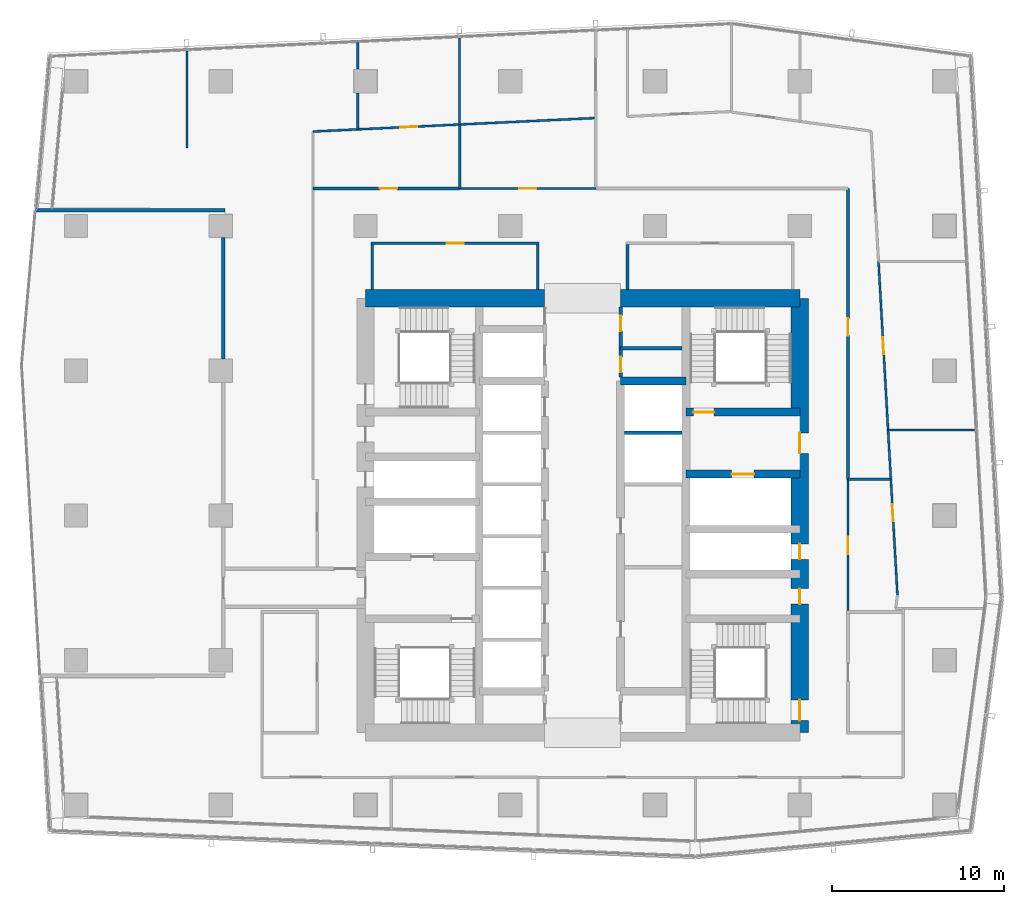
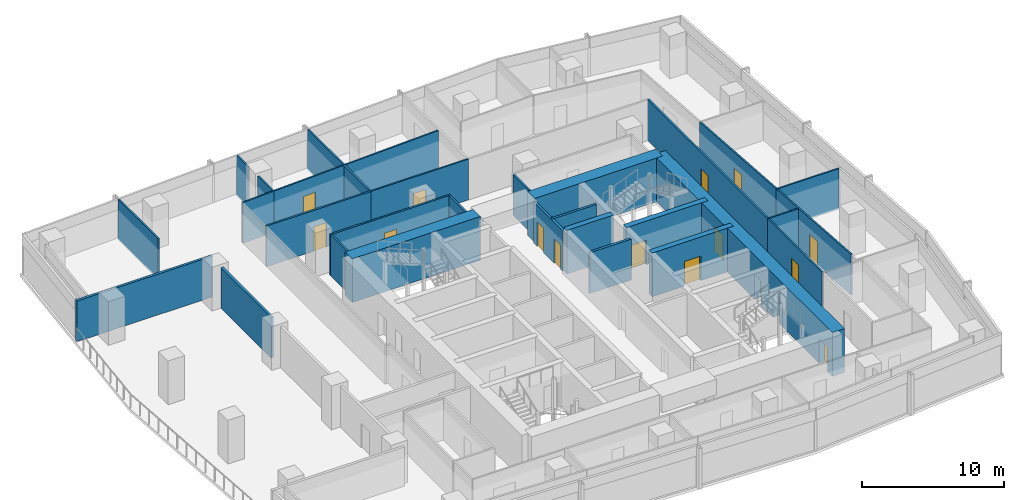
# One storey, part 26 of 35: 31 walls, 16 doors, 16 openings.
"""IFC4 building model written with IfcOpenShell, lengths in metres."""

import ifcopenshell
import ifcopenshell.guid

model = None  # the IFC model being written
_history = None  # IfcOwnerHistory: only IFC2X3 demands one
_inside = {}  # id of a spatial element -> (the spatial element, [elements in it])
_under = {}  # id of a project, library or spatial element -> (it, [spatial elements below it])
_declared = {}  # id of a project -> (the project, [libraries it declares])
_typed = {}  # id of a type object -> (the type object, [elements of that type])
_made_of = {}  # id of a material, layer set ... -> (it, [elements and type objects made of it])


def new_model(schema):
    """Start an empty IFC model of exactly this schema.

    Asked for "IFC4X3", IfcOpenShell would pick the latest addendum, in which some entities
    have other attributes; the version numbers below select the first issue.
    IFC2X3 requires an IfcOwnerHistory on every rooted entity: one is made here for all.
    """
    global model, _history
    if schema == "IFC4X3":
        model = ifcopenshell.file(schema_version=(4, 3, 0, 0))
    else:
        model = ifcopenshell.file(schema=schema)
    _inside.clear()
    _under.clear()
    _declared.clear()
    _typed.clear()
    _made_of.clear()
    _history = None
    if model.schema == "IFC2X3":
        org = make("IfcOrganization", Name="unknown")
        user = make(
            "IfcPersonAndOrganization",
            ThePerson=make("IfcPerson", FamilyName="unknown"),
            TheOrganization=org,
        )
        app = make(
            "IfcApplication",
            ApplicationDeveloper=org,
            Version="unknown",
            ApplicationFullName="unknown",
            ApplicationIdentifier="unknown",
        )
        _history = make(
            "IfcOwnerHistory",
            OwningUser=user,
            OwningApplication=app,
            ChangeAction="ADDED",
            CreationDate=0,
        )
    return model


def make(cls, **values):
    """One entity of the class cls with the attributes given. An attribute that is None is left unset."""
    return model.create_entity(
        cls, **{name: value for name, value in values.items() if value is not None}
    )


def rooted(cls, **values):
    """An entity with a GlobalId (a new one), such as an element, a storey or a relation."""
    return make(cls, GlobalId=ifcopenshell.guid.new(), OwnerHistory=_history, **values)


def si_unit(unit_type, name, prefix=None):
    """IfcSIUnit, for example si_unit("LENGTHUNIT", "METRE", prefix="MILLI")."""
    return make("IfcSIUnit", UnitType=unit_type, Prefix=prefix, Name=name)


def assignment(units):
    """IfcUnitAssignment: the units of a project."""
    return None if units is None else make("IfcUnitAssignment", Units=units)


def point(xyz):
    """IfcCartesianPoint."""
    return None if xyz is None else make("IfcCartesianPoint", Coordinates=xyz)


def direction(xyz):
    """IfcDirection."""
    return None if xyz is None else make("IfcDirection", DirectionRatios=xyz)


def frame(location, z_axis=None, x_axis=None):
    """IfcAxis2Placement3D, a coordinate frame: its origin and axes. An axis left out is left unset."""
    return make(
        "IfcAxis2Placement3D",
        Location=point(location),
        Axis=direction(z_axis),
        RefDirection=direction(x_axis),
    )


def frame_2d(location, x_axis=None):
    """IfcAxis2Placement2D, a coordinate frame in the plane: its origin and x axis."""
    return make(
        "IfcAxis2Placement2D", Location=point(location), RefDirection=direction(x_axis)
    )


def origin():
    """The frame at (0, 0, 0) with its axes left unset."""
    return frame((0.0, 0.0, 0.0))


def place(relative_to, where):
    """IfcLocalPlacement: puts the frame where relative to a parent placement (None: the world)."""
    return make(
        "IfcLocalPlacement", PlacementRelTo=relative_to, RelativePlacement=where
    )


def context(
    kind, dimensions, precision=None, world=None, true_north=None, identifier=None
):
    """IfcGeometricRepresentationContext, for example the 3D "Model" context."""
    return make(
        "IfcGeometricRepresentationContext",
        ContextIdentifier=identifier,
        ContextType=kind,
        CoordinateSpaceDimension=dimensions,
        Precision=precision,
        WorldCoordinateSystem=world,
        TrueNorth=true_north,
    )


def subcontext(parent, identifier, kind, view, scale=None):
    """IfcGeometricRepresentationSubContext, for example "Body" below "Model"."""
    return make(
        "IfcGeometricRepresentationSubContext",
        ContextIdentifier=identifier,
        ContextType=kind,
        ParentContext=parent,
        TargetScale=scale,
        TargetView=view,
    )


def project(units=None, contexts=None):
    """IfcProject with its units and contexts."""
    return rooted(
        "IfcProject",
        Name="project",
        RepresentationContexts=contexts,
        UnitsInContext=assignment(units),
    )


def spatial(cls, under=None, at=None, **own):
    """A site, building, storey or space (cls), placed at a placement, below another one or the project."""
    s = rooted(cls, ObjectPlacement=at, **own)
    if under is not None:
        _under.setdefault(under.id(), (under, []))[1].append(s)
    return s


def profile(cls, at=None, kind="AREA", **sizes):
    """A parametric profile (cls). Its sizes go by their IFC names, for example OverallWidth=200.0."""
    return make(cls, ProfileType=kind, Position=at, **sizes)


def rectangle(**sizes):
    """IfcRectangleProfileDef."""
    return profile("IfcRectangleProfileDef", **sizes)


def extrude(swept, where, along, depth):
    """IfcExtrudedAreaSolid: the profile swept, set in the frame where, extruded along a direction by depth."""
    return make(
        "IfcExtrudedAreaSolid",
        SweptArea=swept,
        Position=where,
        ExtrudedDirection=direction(along),
        Depth=depth,
    )


def shape(context_of_items, identifier, shape_type, items):
    """IfcShapeRepresentation: the items that make up one representation, for example the "Body"."""
    return make(
        "IfcShapeRepresentation",
        ContextOfItems=context_of_items,
        RepresentationIdentifier=identifier,
        RepresentationType=shape_type,
        Items=items,
    )


def material(Name=None, Category=None):
    """IfcMaterial."""
    return make("IfcMaterial", Name=Name, Category=Category)


def layer(
    of_material, thickness, ventilated=None, Name=None, Category=None, Priority=None
):
    """IfcMaterialLayer: one layer of a wall or slab, of a material (None: an air gap)."""
    return make(
        "IfcMaterialLayer",
        Material=of_material,
        LayerThickness=thickness,
        IsVentilated=ventilated,
        Name=Name,
        Category=Category,
        Priority=Priority,
    )


def layer_set(layers, Name=None):
    """IfcMaterialLayerSet."""
    return make("IfcMaterialLayerSet", MaterialLayers=layers, LayerSetName=Name)


def made_of(thing, what):
    """Note that an element or type object is made of a material, layer set ...; save() writes the relation."""
    if what is not None:
        _made_of.setdefault(what.id(), (what, []))[1].append(thing)
    return thing


def type_object(cls, material=None, **own):
    """A type object (cls), such as IfcWallType, which elements share."""
    return made_of(rooted(cls, **own), material)


def element(
    cls,
    number,
    at=None,
    inside=None,
    cuts=None,
    type_object=None,
    material=None,
    context=None,
    identifier="Body",
    shape_type=None,
    held_by="IfcProductDefinitionShape",
    body=None,
    shapes=None,
    **own,
):
    """One element of the class cls, such as IfcWall. Its Tag is "e" and its number.

    at: its placement. inside: the storey or other place that contains it. cuts: it is an
    opening in that element (IfcRelVoidsElement). A single representation is given by context,
    identifier, shape_type and body (its items); several are given by shapes. held_by: the class
    of the entity that holds the representations. save() writes the other relations.
    """
    e = rooted(cls, Tag="e%d" % number, ObjectPlacement=at, **own)
    if body is not None:
        shapes = [shape(context, identifier, shape_type, body)]
    if shapes is not None:
        e.Representation = make(held_by, Representations=shapes)
    if inside is not None:
        _inside.setdefault(inside.id(), (inside, []))[1].append(e)
    if cuts is not None:
        rooted(
            "IfcRelVoidsElement", RelatingBuildingElement=cuts, RelatedOpeningElement=e
        )
    if type_object is not None:
        _typed.setdefault(type_object.id(), (type_object, []))[1].append(e)
    return made_of(e, material)


def fill(opening, filler):
    """IfcRelFillsElement: the door or window that sits in an opening."""
    return rooted(
        "IfcRelFillsElement",
        RelatingOpeningElement=opening,
        RelatedBuildingElement=filler,
    )


def aggregate(whole, parts):
    """IfcRelAggregates: a whole, such as a stair, and the parts it consists of."""
    return rooted("IfcRelAggregates", RelatingObject=whole, RelatedObjects=parts)


def save(model, path):
    """Write the relations noted so far, then the file.

    IfcRelAggregates (storeys below a building ...), IfcRelContainedInSpatialStructure (elements
    in a storey), IfcRelDefinesByType, IfcRelAssociatesMaterial and IfcRelDeclares: one each for
    every whole, place, type object, material and project.
    """
    for whole, parts in _under.values():
        aggregate(whole, parts)
    for where, things in _inside.values():
        rooted(
            "IfcRelContainedInSpatialStructure",
            RelatedElements=things,
            RelatingStructure=where,
        )
    for kind, things in _typed.values():
        rooted("IfcRelDefinesByType", RelatedObjects=things, RelatingType=kind)
    for what, things in _made_of.values():
        rooted("IfcRelAssociatesMaterial", RelatedObjects=things, RelatingMaterial=what)
    for by, libraries in _declared.values():
        rooted("IfcRelDeclares", RelatingContext=by, RelatedDefinitions=libraries)
    model.write(path)


model = new_model("IFC4")

# Units and contexts
model_context = context("Model", 3, precision=1e-05, world=origin(), true_north=direction((0.0, 1.0)))
body_context = subcontext(model_context, "Body", "Model", "MODEL_VIEW")
ifc_project = project(units=[si_unit("LENGTHUNIT", "METRE"), si_unit("AREAUNIT", "SQUARE_METRE"), si_unit("VOLUMEUNIT", "CUBIC_METRE"), si_unit("PLANEANGLEUNIT", "RADIAN"), si_unit("MASSUNIT", "GRAM", prefix="KILO")], contexts=[model_context])

# Site, building, storey
site_placement = place(None, origin())
site = spatial("IfcSite", under=ifc_project, at=site_placement, CompositionType="ELEMENT")
building_placement = place(site_placement, origin())
building = spatial("IfcBuilding", under=site, at=building_placement, Name="Rekha Terrace Tower", CompositionType="ELEMENT")
storey_placement = place(building_placement, frame((0.0, 0.0, 191.449951171875)))
storey = spatial("IfcBuildingStorey", under=building, at=storey_placement, Name="L48", CompositionType="ELEMENT", Elevation=191.449951171875)

# Wall
ifc_material_1 = material(Name="Concrete M60", Category="concrete")
ifc_layer_1 = layer(ifc_material_1, 0.449951171875)
ifc_layer_set_1 = layer_set([ifc_layer_1], Name="Concrete M60")
wall_type_1 = type_object("IfcWallType", Name="CI3 450 core internal shear wall", PredefinedType="SHEAR", material=ifc_layer_set_1)
wall_1_placement = place(storey_placement, frame((40.0, 41.39990234375, 0.0), z_axis=(0.0, 0.0, 1.0), x_axis=(1.0, 0.0, 0.0)))
element("IfcWall", 1, at=wall_1_placement, inside=storey, type_object=wall_type_1, Name="Core wall Y414E L48", PredefinedType="SHEAR", context=body_context, shape_type="SweptSolid", body=[
    extrude(rectangle(XDim=3.800048828125, YDim=0.449951171875, at=frame_2d((1.89990234375, 0.0))), origin(), (0.0, 0.0, 1.0), 3.75),
])

# Wall, opening, door
wall_2_placement = place(storey_placement, frame((43.800048828125, 36.0, 0.0), z_axis=(0.0, 0.0, 1.0), x_axis=(1.0, 0.0, 0.0)))
wall_2 = element("IfcWall", 2, at=wall_2_placement, inside=storey, type_object=wall_type_1, Name="Core wall Y360E L48", PredefinedType="SHEAR", context=body_context, shape_type="SweptSolid", body=[
    extrude(rectangle(XDim=6.599853515625, YDim=0.449951171875, at=frame_2d((3.2998046875, 0.0))), origin(), (0.0, 0.0, 1.0), 3.75),
])
opening_1_placement = place(wall_2_placement, frame((2.64990234375, 0.0, 0.0)))
opening_1 = element("IfcOpeningElement", 3, at=opening_1_placement, cuts=wall_2, Name="Opening LD2", PredefinedType="OPENING", context=body_context, shape_type="SweptSolid", body=[
    extrude(rectangle(XDim=1.300048828125, YDim=2.10009765625, at=frame_2d((0.64990234375, 1.050048828125))), frame((0.0, 0.23486328125, 0.0), z_axis=(0.0, -1.0, 0.0), x_axis=(1.0, 0.0, 0.0)), (0.0, 0.0, 1.0), 0.469970703125),
])
ifc_material_2 = material(Name="Stainless steel sliding landing door", Category="steel")
door_type_1 = type_object("IfcDoorType", Name="LD2 1300x2100 fire lift landing door", OperationType="SLIDING_TO_LEFT", PredefinedType="USERDEFINED", material=ifc_material_2)
door_1_placement = place(opening_1_placement, origin())
door_1 = element("IfcDoor", 4, at=door_1_placement, inside=storey, type_object=door_type_1, Name="Lift FL2 landing door L48", ObjectType="LIFT LANDING DOOR", OperationType="SLIDING_TO_LEFT", OverallHeight=2.10009765625, OverallWidth=1.300048828125, PredefinedType="USERDEFINED", context=body_context, shape_type="SweptSolid", body=[
    extrude(rectangle(XDim=1.300048828125, YDim=2.10009765625, at=frame_2d((0.64990234375, 1.050048828125))), frame((0.0, 0.02490234375, 0.0), z_axis=(0.0, -1.0, 0.0), x_axis=(1.0, 0.0, 0.0)), (0.0, 0.0, 1.0), 0.050048828125),
])
fill(opening_1, door_1)

wall_3_placement = place(storey_placement, frame((43.800048828125, 39.60009765625, 0.0), z_axis=(0.0, 0.0, 1.0), x_axis=(1.0, 0.0, 0.0)))
wall_3 = element("IfcWall", 5, at=wall_3_placement, inside=storey, type_object=wall_type_1, Name="Core wall Y396E L48", PredefinedType="SHEAR", context=body_context, shape_type="SweptSolid", body=[
    extrude(rectangle(XDim=6.599853515625, YDim=0.449951171875, at=frame_2d((3.2998046875, 0.0))), origin(), (0.0, 0.0, 1.0), 3.75),
])
opening_2_placement = place(wall_3_placement, frame((0.425048828125, 0.0, 0.0)))
opening_2 = element("IfcOpeningElement", 6, at=opening_2_placement, cuts=wall_3, Name="Opening D1", PredefinedType="OPENING", context=body_context, shape_type="SweptSolid", body=[
    extrude(rectangle(XDim=1.199951171875, YDim=2.10009765625, at=frame_2d((0.60009765625, 1.050048828125))), frame((0.0, 0.23486328125, 0.0), z_axis=(0.0, -1.0, 0.0), x_axis=(1.0, 0.0, 0.0)), (0.0, 0.0, 1.0), 0.469970703125),
])
ifc_material_3 = material(Name="Steel fire door", Category="steel")
door_type_2 = type_object("IfcDoorType", Name="D1 1200x2100 stair fire door", OperationType="SINGLE_SWING_RIGHT", PredefinedType="DOOR", material=ifc_material_3)
door_2_placement = place(opening_2_placement, origin())
door_2 = element("IfcDoor", 7, at=door_2_placement, inside=storey, type_object=door_type_2, Name="Stair ST2 door L48", OperationType="SINGLE_SWING_RIGHT", OverallHeight=2.10009765625, OverallWidth=1.199951171875, PredefinedType="DOOR", context=body_context, shape_type="SweptSolid", body=[
    extrude(rectangle(XDim=1.199951171875, YDim=2.10009765625, at=frame_2d((0.60009765625, 1.050048828125))), frame((0.0, 0.02490234375, 0.0), z_axis=(0.0, -1.0, 0.0), x_axis=(1.0, 0.0, 0.0)), (0.0, 0.0, 1.0), 0.050048828125),
])
fill(opening_2, door_2)

# Walls
ifc_layer_2 = layer(ifc_material_1, 1.0)
ifc_layer_set_2 = layer_set([ifc_layer_2], Name="Concrete M60")
wall_type_2 = type_object("IfcWallType", Name="SW3 1000 core outer shear wall", PredefinedType="SHEAR", material=ifc_layer_set_2)
wall_4_placement = place(storey_placement, frame((25.199951171875, 46.199951171875, 0.0), z_axis=(0.0, 0.0, 1.0), x_axis=(1.0, 0.0, 0.0)))
element("IfcWall", 8, at=wall_4_placement, inside=storey, type_object=wall_type_2, Name="Core wall N1 L48", PredefinedType="SHEAR", context=body_context, shape_type="SweptSolid", body=[
    extrude(rectangle(XDim=10.400146484375, YDim=1.0, at=frame_2d((5.2001953125, 0.0))), origin(), (0.0, 0.0, 1.0), 3.75),
])
wall_5_placement = place(storey_placement, frame((40.0, 46.199951171875, 0.0), z_axis=(0.0, 0.0, 1.0), x_axis=(1.0, 0.0, 0.0)))
element("IfcWall", 9, at=wall_5_placement, inside=storey, type_object=wall_type_2, Name="Core wall N2 L48", PredefinedType="SHEAR", context=body_context, shape_type="SweptSolid", body=[
    extrude(rectangle(XDim=10.39990234375, YDim=1.0, at=frame_2d((5.199951171875, 0.0))), origin(), (0.0, 0.0, 1.0), 3.75),
])

# Wall, openings, doors
wall_6_placement = place(storey_placement, frame((50.39990234375, 21.0, 0.0), z_axis=(0.0, 0.0, 1.0), x_axis=(0.0, 1.0, 0.0)))
wall_6 = element("IfcWall", 10, at=wall_6_placement, inside=storey, type_object=wall_type_2, Name="Core wall E L48", PredefinedType="SHEAR", context=body_context, shape_type="SweptSolid", body=[
    extrude(rectangle(XDim=25.199951171875, YDim=1.0, at=frame_2d((12.60009765625, 0.0))), origin(), (0.0, 0.0, 1.0), 3.75),
])
opening_3_placement = place(wall_6_placement, frame((16.199951171875, 0.0, 0.0)))
opening_3 = element("IfcOpeningElement", 11, at=opening_3_placement, cuts=wall_6, Name="Opening D2", PredefinedType="OPENING", context=body_context, shape_type="SweptSolid", body=[
    extrude(rectangle(XDim=1.199951171875, YDim=2.10009765625, at=frame_2d((0.60009765625, 1.050048828125))), frame((0.0, 0.510009765625, 0.0), z_axis=(0.0, -1.0, 0.0), x_axis=(1.0, 0.0, 0.0)), (0.0, 0.0, 1.0), 1.02001953125),
])
opening_4_placement = place(wall_6_placement, frame((10.050048828125, 0.0, 0.0)))
opening_4 = element("IfcOpeningElement", 12, at=opening_4_placement, cuts=wall_6, Name="Opening D5", PredefinedType="OPENING", context=body_context, shape_type="SweptSolid", body=[
    extrude(rectangle(XDim=0.89990234375, YDim=2.10009765625, at=frame_2d((0.449951171875, 1.050048828125))), frame((0.0, 0.510009765625, 0.0), z_axis=(0.0, -1.0, 0.0), x_axis=(1.0, 0.0, 0.0)), (0.0, 0.0, 1.0), 1.02001953125),
])
opening_5_placement = place(wall_6_placement, frame((7.449951171875, 0.0, 0.0)))
opening_5 = element("IfcOpeningElement", 13, at=opening_5_placement, cuts=wall_6, Name="Opening D5", PredefinedType="OPENING", context=body_context, shape_type="SweptSolid", body=[
    extrude(rectangle(XDim=0.89990234375, YDim=2.10009765625, at=frame_2d((0.449951171875, 1.050048828125))), frame((0.0, 0.510009765625, 0.0), z_axis=(0.0, -1.0, 0.0), x_axis=(1.0, 0.0, 0.0)), (0.0, 0.0, 1.0), 1.02001953125),
])
opening_6_placement = place(wall_6_placement, frame((0.699951171875, 0.0, 0.0)))
opening_6 = element("IfcOpeningElement", 14, at=opening_6_placement, cuts=wall_6, Name="Opening D1", PredefinedType="OPENING", context=body_context, shape_type="SweptSolid", body=[
    extrude(rectangle(XDim=1.199951171875, YDim=2.10009765625, at=frame_2d((0.60009765625, 1.050048828125))), frame((0.0, 0.510009765625, 0.0), z_axis=(0.0, -1.0, 0.0), x_axis=(1.0, 0.0, 0.0)), (0.0, 0.0, 1.0), 1.02001953125),
])
door_3_placement = place(opening_6_placement, origin())
door_3 = element("IfcDoor", 15, at=door_3_placement, inside=storey, type_object=door_type_2, Name="Stair ST3 door L48", OperationType="SINGLE_SWING_RIGHT", OverallHeight=2.10009765625, OverallWidth=1.199951171875, PredefinedType="DOOR", context=body_context, shape_type="SweptSolid", body=[
    extrude(rectangle(XDim=1.199951171875, YDim=2.10009765625, at=frame_2d((0.60009765625, 1.050048828125))), frame((0.0, 0.02490234375, 0.0), z_axis=(0.0, -1.0, 0.0), x_axis=(1.0, 0.0, 0.0)), (0.0, 0.0, 1.0), 0.050048828125),
])
fill(opening_6, door_3)
door_type_3 = type_object("IfcDoorType", Name="D2 1200x2100 firefighting lobby door", OperationType="SINGLE_SWING_LEFT", PredefinedType="DOOR", material=ifc_material_3)
door_4_placement = place(opening_3_placement, origin())
door_4 = element("IfcDoor", 16, at=door_4_placement, inside=storey, type_object=door_type_3, Name="Door flb2 L48", OperationType="SINGLE_SWING_LEFT", OverallHeight=2.10009765625, OverallWidth=1.199951171875, PredefinedType="DOOR", context=body_context, shape_type="SweptSolid", body=[
    extrude(rectangle(XDim=1.199951171875, YDim=2.10009765625, at=frame_2d((0.60009765625, 1.050048828125))), frame((0.0, 0.02490234375, 0.0), z_axis=(0.0, -1.0, 0.0), x_axis=(1.0, 0.0, 0.0)), (0.0, 0.0, 1.0), 0.050048828125),
])
fill(opening_3, door_4)
door_type_4 = type_object("IfcDoorType", Name="D5 900x2100 riser access door", OperationType="SINGLE_SWING_LEFT", PredefinedType="DOOR", material=ifc_material_3)
door_5_placement = place(opening_4_placement, origin())
door_5 = element("IfcDoor", 17, at=door_5_placement, inside=storey, type_object=door_type_4, Name="Door rs2 L48", OperationType="SINGLE_SWING_LEFT", OverallHeight=2.10009765625, OverallWidth=0.89990234375, PredefinedType="DOOR", context=body_context, shape_type="SweptSolid", body=[
    extrude(rectangle(XDim=0.89990234375, YDim=2.10009765625, at=frame_2d((0.449951171875, 1.050048828125))), frame((0.0, 0.02490234375, 0.0), z_axis=(0.0, -1.0, 0.0), x_axis=(1.0, 0.0, 0.0)), (0.0, 0.0, 1.0), 0.050048828125),
])
fill(opening_4, door_5)
door_6_placement = place(opening_5_placement, origin())
door_6 = element("IfcDoor", 18, at=door_6_placement, inside=storey, type_object=door_type_4, Name="Door ele L48", OperationType="SINGLE_SWING_LEFT", OverallHeight=2.10009765625, OverallWidth=0.89990234375, PredefinedType="DOOR", context=body_context, shape_type="SweptSolid", body=[
    extrude(rectangle(XDim=0.89990234375, YDim=2.10009765625, at=frame_2d((0.449951171875, 1.050048828125))), frame((0.0, 0.02490234375, 0.0), z_axis=(0.0, -1.0, 0.0), x_axis=(1.0, 0.0, 0.0)), (0.0, 0.0, 1.0), 0.050048828125),
])
fill(opening_5, door_6)

# Wall
ifc_material_4 = material(Name="Concrete block masonry, 1 hour", Category="masonry")
ifc_layer_3 = layer(ifc_material_4, 0.14990234375)
ifc_layer_set_3 = layer_set([ifc_layer_3], Name="Concrete block masonry, 1 hour")
wall_type_3 = type_object("IfcWallType", Name="WP2 150 tenancy partition", PredefinedType="PARTITIONING", material=ifc_layer_set_3)
wall_7_placement = place(storey_placement, frame((40.39990234375, 46.699951171875, 0.0), z_axis=(0.0, 0.0, 1.0), x_axis=(0.0, 1.0, 0.0)))
element("IfcWall", 19, at=wall_7_placement, inside=storey, type_object=wall_type_3, Name="Women's WC wall L48", PredefinedType="PARTITIONING", context=body_context, shape_type="SweptSolid", body=[
    extrude(rectangle(XDim=2.625, YDim=0.14990234375, at=frame_2d((1.3125, 0.0))), origin(), (0.0, 0.0, 1.0), 3.5),
])

# Wall, opening, door
wall_8_placement = place(storey_placement, frame((25.52490234375, 49.39990234375, 0.0), z_axis=(0.0, 0.0, 1.0), x_axis=(1.0, 0.0, 0.0)))
wall_8 = element("IfcWall", 20, at=wall_8_placement, inside=storey, type_object=wall_type_3, Name="Women's WC wall L48", PredefinedType="PARTITIONING", context=body_context, shape_type="SweptSolid", body=[
    extrude(rectangle(XDim=9.75, YDim=0.14990234375, at=frame_2d((4.875, 0.0))), origin(), (0.0, 0.0, 1.0), 3.5),
])
opening_7_placement = place(wall_8_placement, frame((4.375, 0.0, 0.0)))
opening_7 = element("IfcOpeningElement", 21, at=opening_7_placement, cuts=wall_8, Name="Opening D3", PredefinedType="OPENING", context=body_context, shape_type="SweptSolid", body=[
    extrude(rectangle(XDim=1.0, YDim=2.10009765625, at=frame_2d((0.5, 1.050048828125))), frame((0.0, 0.0849609375, 0.0), z_axis=(0.0, -1.0, 0.0), x_axis=(1.0, 0.0, 0.0)), (0.0, 0.0, 1.0), 0.169921875),
])
ifc_material_5 = material(Name="Laminated timber fire door", Category="wood")
door_type_5 = type_object("IfcDoorType", Name="D3 1000x2100 WC door", OperationType="SINGLE_SWING_LEFT", PredefinedType="DOOR", material=ifc_material_5)
door_7_placement = place(opening_7_placement, origin())
door_7 = element("IfcDoor", 22, at=door_7_placement, inside=storey, type_object=door_type_5, Name="Door women's wc L48", OperationType="SINGLE_SWING_LEFT", OverallHeight=2.10009765625, OverallWidth=1.0, PredefinedType="DOOR", context=body_context, shape_type="SweptSolid", body=[
    extrude(rectangle(XDim=1.0, YDim=2.10009765625, at=frame_2d((0.5, 1.050048828125))), frame((0.0, 0.02490234375, 0.0), z_axis=(0.0, -1.0, 0.0), x_axis=(1.0, 0.0, 0.0)), (0.0, 0.0, 1.0), 0.050048828125),
])
fill(opening_7, door_7)

# Walls
for number, where, z_axis, x_axis, name in (
    (23, (25.60009765625, 46.699951171875, 0.0), (0.0, 0.0, 1.0), (0.0, 1.0, 0.0), "Women's WC wall L48"),
    (24, (35.199951171875, 46.699951171875, 0.0), (0.0, 0.0, 1.0), (0.0, 1.0, 0.0), "Women's WC wall L48"),
):
    element("IfcWall", number, at=place(storey_placement, frame(where, z_axis=z_axis, x_axis=x_axis)), inside=storey, type_object=wall_type_3, Name=name, PredefinedType="PARTITIONING", context=body_context, shape_type="SweptSolid", body=[
        extrude(rectangle(XDim=2.625, YDim=0.14990234375, at=frame_2d((1.3125, 0.0))), origin(), (0.0, 0.0, 1.0), 3.5),
    ])

# Wall, opening, door
wall_9_placement = place(storey_placement, frame((53.199951171875, 35.700927734375, 0.0), z_axis=(0.0, 0.0, 1.0), x_axis=(0.0, 1.0, 0.0)))
wall_9 = element("IfcWall", 25, at=wall_9_placement, inside=storey, type_object=wall_type_3, Name="Partition L48-O1", PredefinedType="PARTITIONING", context=body_context, shape_type="SweptSolid", body=[
    extrude(rectangle(XDim=16.8740234375, YDim=0.14990234375, at=frame_2d((8.43701171875, 0.0))), origin(), (0.0, 0.0, 1.0), 3.5),
])
opening_8_placement = place(wall_9_placement, frame((8.3369140625, 0.0, 0.0)))
opening_8 = element("IfcOpeningElement", 26, at=opening_8_placement, cuts=wall_9, Name="Opening D9", PredefinedType="OPENING", context=body_context, shape_type="SweptSolid", body=[
    extrude(rectangle(XDim=1.0, YDim=2.10009765625, at=frame_2d((0.5, 1.050048828125))), frame((0.0, 0.0849609375, 0.0), z_axis=(0.0, -1.0, 0.0), x_axis=(1.0, 0.0, 0.0)), (0.0, 0.0, 1.0), 0.169921875),
])
ifc_material_6 = material(Name="Timber fire door", Category="wood")
door_type_6 = type_object("IfcDoorType", Name="D9 1000x2100 office door", OperationType="SINGLE_SWING_LEFT", PredefinedType="DOOR", material=ifc_material_6)
door_8_placement = place(opening_8_placement, origin())
door_8 = element("IfcDoor", 27, at=door_8_placement, inside=storey, type_object=door_type_6, Name="Door open-plan office L48", OperationType="SINGLE_SWING_LEFT", OverallHeight=2.10009765625, OverallWidth=1.0, PredefinedType="DOOR", context=body_context, shape_type="SweptSolid", body=[
    extrude(rectangle(XDim=1.0, YDim=2.10009765625, at=frame_2d((0.5, 1.050048828125))), frame((0.0, 0.02490234375, 0.0), z_axis=(0.0, -1.0, 0.0), x_axis=(1.0, 0.0, 0.0)), (0.0, 0.0, 1.0), 0.050048828125),
])
fill(opening_8, door_8)

# Wall
wall_10_placement = place(storey_placement, frame((30.660888671875, 56.287109375, 0.0), z_axis=(0.0, 0.0, 1.0), x_axis=(0.0, -1.0, 0.0)))
element("IfcWall", 28, at=wall_10_placement, inside=storey, type_object=wall_type_3, Name="Partition L48-O1b", PredefinedType="PARTITIONING", context=body_context, shape_type="SweptSolid", body=[
    extrude(rectangle(XDim=3.712158203125, YDim=0.14990234375, at=frame_2d((1.85595703125, 0.0))), origin(), (0.0, 0.0, 1.0), 3.5),
])

# Wall, opening, door
wall_11_placement = place(storey_placement, frame((30.660888671875, 52.574951171875, 0.0), z_axis=(0.0, 0.0, 1.0), x_axis=(-1.0, 0.0, 0.0)))
wall_11 = element("IfcWall", 29, at=wall_11_placement, inside=storey, type_object=wall_type_3, Name="Partition L48-O1b", PredefinedType="PARTITIONING", context=body_context, shape_type="SweptSolid", body=[
    extrude(rectangle(XDim=8.510009765625, YDim=0.14990234375, at=frame_2d((4.2548828125, 0.0))), origin(), (0.0, 0.0, 1.0), 3.5),
])
opening_9_placement = place(wall_11_placement, frame((3.631103515625, 0.0, 0.0)))
opening_9 = element("IfcOpeningElement", 30, at=opening_9_placement, cuts=wall_11, Name="Opening D9", PredefinedType="OPENING", context=body_context, shape_type="SweptSolid", body=[
    extrude(rectangle(XDim=1.0, YDim=2.10009765625, at=frame_2d((0.5, 1.050048828125))), frame((0.0, 0.0849609375, 0.0), z_axis=(0.0, -1.0, 0.0), x_axis=(1.0, 0.0, 0.0)), (0.0, 0.0, 1.0), 0.169921875),
])
door_9_placement = place(opening_9_placement, origin())
door_9 = element("IfcDoor", 31, at=door_9_placement, inside=storey, type_object=door_type_6, Name="Door open-plan office L48", OperationType="SINGLE_SWING_LEFT", OverallHeight=2.10009765625, OverallWidth=1.0, PredefinedType="DOOR", context=body_context, shape_type="SweptSolid", body=[
    extrude(rectangle(XDim=1.0, YDim=2.10009765625, at=frame_2d((0.5, 1.050048828125))), frame((0.0, 0.02490234375, 0.0), z_axis=(0.0, -1.0, 0.0), x_axis=(1.0, 0.0, 0.0)), (0.0, 0.0, 1.0), 0.050048828125),
])
fill(opening_9, door_9)

# Wall
ifc_material_7 = material(Name="Two layers of fire-rated gypsum board each side on steel studs, acoustic quilt, 1 hour", Category="steel")
ifc_layer_4 = layer(ifc_material_7, 0.125)
ifc_layer_set_4 = layer_set([ifc_layer_4], Name="Two layers of fire-rated gypsum board each side on steel studs, acoustic quilt, 1 hour")
wall_type_4 = type_object("IfcWallType", Name="WP3 125 office partition", PredefinedType="PARTITIONING", material=ifc_layer_set_4)
wall_12_placement = place(storey_placement, frame((55.52294921875, 38.554931640625, 0.0), z_axis=(0.0, 0.0, 1.0), x_axis=(1.0, 0.0, 0.0)))
element("IfcWall", 32, at=wall_12_placement, inside=storey, type_object=wall_type_4, Name="Partition L48-05", PredefinedType="PARTITIONING", context=body_context, shape_type="SweptSolid", body=[
    extrude(rectangle(XDim=5.028076171875, YDim=0.125, at=frame_2d((2.51416015625, 0.0))), origin(), (0.0, 0.0, 1.0), 3.5),
])

# Wall, opening, door
wall_13_placement = place(storey_placement, frame((56.06689453125, 28.971923828125, 0.0), z_axis=(0.0, 0.0, 1.0), x_axis=(-0.056670220537, 0.99839295175, 0.0)))
wall_13 = element("IfcWall", 33, at=wall_13_placement, inside=storey, type_object=wall_type_4, Name="Partition L48-05", PredefinedType="PARTITIONING", context=body_context, shape_type="SweptSolid", body=[
    extrude(rectangle(XDim=9.598388671875, YDim=0.125, at=frame_2d((4.79931640625, 0.0))), origin(), (0.0, 0.0, 1.0), 3.5),
])
opening_10_placement = place(wall_13_placement, frame((4.299072265625, 0.0, 0.0)))
opening_10 = element("IfcOpeningElement", 34, at=opening_10_placement, cuts=wall_13, Name="Opening D9", PredefinedType="OPENING", context=body_context, shape_type="SweptSolid", body=[
    extrude(rectangle(XDim=1.0, YDim=2.10009765625, at=frame_2d((0.5, 1.050048828125))), frame((0.0, 0.072509765625, 0.0), z_axis=(0.0, -1.0, 0.0), x_axis=(1.0, 0.0, 0.0)), (0.0, 0.0, 1.0), 0.14501953125),
])
door_10_placement = place(opening_10_placement, origin())
door_10 = element("IfcDoor", 35, at=door_10_placement, inside=storey, type_object=door_type_6, Name="Door office L48", OperationType="SINGLE_SWING_LEFT", OverallHeight=2.10009765625, OverallWidth=1.0, PredefinedType="DOOR", context=body_context, shape_type="SweptSolid", body=[
    extrude(rectangle(XDim=1.0, YDim=2.10009765625, at=frame_2d((0.5, 1.050048828125))), frame((0.0, 0.02490234375, 0.0), z_axis=(0.0, -1.0, 0.0), x_axis=(1.0, 0.0, 0.0)), (0.0, 0.0, 1.0), 0.050048828125),
])
fill(opening_10, door_10)

wall_14_placement = place(storey_placement, frame((55.52294921875, 38.555908203125, 0.0), z_axis=(0.0, 0.0, 1.0), x_axis=(-0.056678391694, 0.99839248791, 0.0)))
wall_14 = element("IfcWall", 36, at=wall_14_placement, inside=storey, type_object=wall_type_4, Name="Partition L48-06", PredefinedType="PARTITIONING", context=body_context, shape_type="SweptSolid", body=[
    extrude(rectangle(XDim=9.790771484375, YDim=0.125, at=frame_2d((4.8955078125, 0.0))), origin(), (0.0, 0.0, 1.0), 3.5),
])
opening_11_placement = place(wall_14_placement, frame((4.39501953125, 0.0, 0.0)))
opening_11 = element("IfcOpeningElement", 37, at=opening_11_placement, cuts=wall_14, Name="Opening D9", PredefinedType="OPENING", context=body_context, shape_type="SweptSolid", body=[
    extrude(rectangle(XDim=1.0, YDim=2.10009765625, at=frame_2d((0.5, 1.050048828125))), frame((0.0, 0.072509765625, 0.0), z_axis=(0.0, -1.0, 0.0), x_axis=(1.0, 0.0, 0.0)), (0.0, 0.0, 1.0), 0.14501953125),
])
door_11_placement = place(opening_11_placement, origin())
door_11 = element("IfcDoor", 38, at=door_11_placement, inside=storey, type_object=door_type_6, Name="Door office L48", OperationType="SINGLE_SWING_LEFT", OverallHeight=2.10009765625, OverallWidth=1.0, PredefinedType="DOOR", context=body_context, shape_type="SweptSolid", body=[
    extrude(rectangle(XDim=1.0, YDim=2.10009765625, at=frame_2d((0.5, 1.050048828125))), frame((0.0, 0.02490234375, 0.0), z_axis=(0.0, -1.0, 0.0), x_axis=(1.0, 0.0, 0.0)), (0.0, 0.0, 1.0), 0.050048828125),
])
fill(opening_11, door_11)

# Walls
wall_15_placement = place(storey_placement, frame((24.75, 56.00390625, 0.0), z_axis=(0.0, 0.0, 1.0), x_axis=(0.0, 1.0, 0.0)))
element("IfcWall", 39, at=wall_15_placement, inside=storey, type_object=wall_type_4, Name="Partition L48-10", PredefinedType="PARTITIONING", context=body_context, shape_type="SweptSolid", body=[
    extrude(rectangle(XDim=2.10107421875, YDim=0.125, at=frame_2d((1.050537109375, 0.0))), origin(), (0.0, 0.0, 1.0), 3.5),
])
wall_16_placement = place(storey_placement, frame((24.75, 59.4951171875, 0.0), z_axis=(0.0, 0.0, 1.0), x_axis=(0.0, 1.0, 0.0)))
element("IfcWall", 40, at=wall_16_placement, inside=storey, type_object=wall_type_4, Name="Partition L48-10", PredefinedType="PARTITIONING", context=body_context, shape_type="SweptSolid", body=[
    extrude(rectangle(XDim=1.56494140625, YDim=0.125, at=frame_2d((0.782470703125, 0.0))), origin(), (0.0, 0.0, 1.0), 3.5),
])
wall_17_placement = place(storey_placement, frame((30.660888671875, 61.31298828125, 0.0), z_axis=(0.0, 0.0, 1.0), x_axis=(0.0, -1.0, 0.0)))
element("IfcWall", 41, at=wall_17_placement, inside=storey, type_object=wall_type_4, Name="Partition L48-10", PredefinedType="PARTITIONING", context=body_context, shape_type="SweptSolid", body=[
    extrude(rectangle(XDim=5.02587890625, YDim=0.125, at=frame_2d((2.512939453125, 0.0))), origin(), (0.0, 0.0, 1.0), 3.5),
])

# Wall, opening, door
wall_18_placement = place(storey_placement, frame((30.660888671875, 56.287109375, 0.0), z_axis=(0.0, 0.0, 1.0), x_axis=(-0.998854187389, -0.047857207772, 0.0)))
wall_18 = element("IfcWall", 42, at=wall_18_placement, inside=storey, type_object=wall_type_4, Name="Partition L48-10", PredefinedType="PARTITIONING", context=body_context, shape_type="SweptSolid", body=[
    extrude(rectangle(XDim=5.917724609375, YDim=0.125, at=frame_2d((2.958984375, 0.0))), origin(), (0.0, 0.0, 1.0), 3.5),
])
opening_12_placement = place(wall_18_placement, frame((2.458984375, 0.0, 0.0)))
opening_12 = element("IfcOpeningElement", 43, at=opening_12_placement, cuts=wall_18, Name="Opening D9", PredefinedType="OPENING", context=body_context, shape_type="SweptSolid", body=[
    extrude(rectangle(XDim=1.0, YDim=2.10009765625, at=frame_2d((0.5, 1.050048828125))), frame((0.0, 0.072509765625, 0.0), z_axis=(0.0, -1.0, 0.0), x_axis=(1.0, 0.0, 0.0)), (0.0, 0.0, 1.0), 0.14501953125),
])
door_12_placement = place(opening_12_placement, origin())
door_12 = element("IfcDoor", 44, at=door_12_placement, inside=storey, type_object=door_type_6, Name="Door office L48", OperationType="SINGLE_SWING_LEFT", OverallHeight=2.10009765625, OverallWidth=1.0, PredefinedType="DOOR", context=body_context, shape_type="SweptSolid", body=[
    extrude(rectangle(XDim=1.0, YDim=2.10009765625, at=frame_2d((0.5, 1.050048828125))), frame((0.0, 0.02490234375, 0.0), z_axis=(0.0, -1.0, 0.0), x_axis=(1.0, 0.0, 0.0)), (0.0, 0.0, 1.0), 0.050048828125),
])
fill(opening_12, door_12)

# Walls
wall_19_placement = place(storey_placement, frame((14.842041015625, 60.556884765625, 0.0), z_axis=(0.0, 0.0, 1.0), x_axis=(0.0, -1.0, 0.0)))
element("IfcWall", 45, at=wall_19_placement, inside=storey, type_object=wall_type_4, Name="Partition L48-11", PredefinedType="PARTITIONING", context=body_context, shape_type="SweptSolid", body=[
    extrude(rectangle(XDim=5.619873046875, YDim=0.125, at=frame_2d((2.81005859375, 0.0))), origin(), (0.0, 0.0, 1.0), 3.5),
])
wall_20_placement = place(storey_placement, frame((24.7490234375, 56.00390625, 0.0), z_axis=(0.0, 0.0, 1.0), x_axis=(-0.998862609794, -0.047681094322, 0.0)))
element("IfcWall", 46, at=wall_20_placement, inside=storey, type_object=wall_type_4, Name="Partition L48-11", PredefinedType="PARTITIONING", context=body_context, shape_type="SweptSolid", body=[
    extrude(rectangle(XDim=2.60107421875, YDim=0.125, at=frame_2d((1.300537109375, 0.0))), origin(), (0.0, 0.0, 1.0), 3.5),
])

# Wall, opening, door
wall_21_placement = place(storey_placement, frame((53.199951171875, 28.074951171875, 0.0), z_axis=(0.0, 0.0, 1.0), x_axis=(0.0, 1.0, 0.0)))
wall_21 = element("IfcWall", 47, at=wall_21_placement, inside=storey, type_object=wall_type_4, Name="Partition L48-12", PredefinedType="PARTITIONING", context=body_context, shape_type="SweptSolid", body=[
    extrude(rectangle(XDim=7.6259765625, YDim=0.125, at=frame_2d((3.81298828125, 0.0))), origin(), (0.0, 0.0, 1.0), 3.5),
])
opening_13_placement = place(wall_21_placement, frame((3.27587890625, 0.0, 0.0)))
opening_13 = element("IfcOpeningElement", 48, at=opening_13_placement, cuts=wall_21, Name="Opening D9", PredefinedType="OPENING", context=body_context, shape_type="SweptSolid", body=[
    extrude(rectangle(XDim=1.0, YDim=2.10009765625, at=frame_2d((0.5, 1.050048828125))), frame((0.0, 0.072509765625, 0.0), z_axis=(0.0, -1.0, 0.0), x_axis=(1.0, 0.0, 0.0)), (0.0, 0.0, 1.0), 0.14501953125),
])
door_13_placement = place(opening_13_placement, origin())
door_13 = element("IfcDoor", 49, at=door_13_placement, inside=storey, type_object=door_type_6, Name="Door reception L48", OperationType="SINGLE_SWING_LEFT", OverallHeight=2.10009765625, OverallWidth=1.0, PredefinedType="DOOR", context=body_context, shape_type="SweptSolid", body=[
    extrude(rectangle(XDim=1.0, YDim=2.10009765625, at=frame_2d((0.5, 1.050048828125))), frame((0.0, 0.02490234375, 0.0), z_axis=(0.0, -1.0, 0.0), x_axis=(1.0, 0.0, 0.0)), (0.0, 0.0, 1.0), 0.050048828125),
])
fill(opening_13, door_13)

# Walls
wall_22_placement = place(storey_placement, frame((53.199951171875, 35.700927734375, 0.0), z_axis=(0.0, 0.0, 1.0), x_axis=(1.0, 0.0, 0.0)))
element("IfcWall", 50, at=wall_22_placement, inside=storey, type_object=wall_type_4, Name="Partition L48-12", PredefinedType="PARTITIONING", context=body_context, shape_type="SweptSolid", body=[
    extrude(rectangle(XDim=2.422119140625, YDim=0.125, at=frame_2d((1.2109375, 0.0))), origin(), (0.0, 0.0, 1.0), 3.5),
])
wall_23_placement = place(storey_placement, frame((38.4951171875, 56.660888671875, 0.0), z_axis=(0.0, 0.0, 1.0), x_axis=(-0.998863767156, -0.047656842766, 0.0)))
element("IfcWall", 51, at=wall_23_placement, inside=storey, type_object=wall_type_4, Name="Partition L48-14", PredefinedType="PARTITIONING", context=body_context, shape_type="SweptSolid", body=[
    extrude(rectangle(XDim=7.84326171875, YDim=0.125, at=frame_2d((3.921630859375, 0.0))), origin(), (0.0, 0.0, 1.0), 3.5),
])

# Wall, opening, door
wall_24_placement = place(storey_placement, frame((38.570068359375, 52.574951171875, 0.0), z_axis=(0.0, 0.0, 1.0), x_axis=(-1.0, 0.0, 0.0)))
wall_24 = element("IfcWall", 52, at=wall_24_placement, inside=storey, type_object=wall_type_4, Name="Partition L48-15", PredefinedType="PARTITIONING", context=body_context, shape_type="SweptSolid", body=[
    extrude(rectangle(XDim=7.9091796875, YDim=0.125, at=frame_2d((3.95458984375, 0.0))), origin(), (0.0, 0.0, 1.0), 3.5),
])
opening_14_placement = place(wall_24_placement, frame((3.455078125, 0.0, 0.0)))
opening_14 = element("IfcOpeningElement", 53, at=opening_14_placement, cuts=wall_24, Name="Opening D9", PredefinedType="OPENING", context=body_context, shape_type="SweptSolid", body=[
    extrude(rectangle(XDim=1.0, YDim=2.10009765625, at=frame_2d((0.5, 1.050048828125))), frame((0.0, 0.072509765625, 0.0), z_axis=(0.0, -1.0, 0.0), x_axis=(1.0, 0.0, 0.0)), (0.0, 0.0, 1.0), 0.14501953125),
])
door_14_placement = place(opening_14_placement, origin())
door_14 = element("IfcDoor", 54, at=door_14_placement, inside=storey, type_object=door_type_6, Name="Door breakout lounge L48", OperationType="SINGLE_SWING_LEFT", OverallHeight=2.10009765625, OverallWidth=1.0, PredefinedType="DOOR", context=body_context, shape_type="SweptSolid", body=[
    extrude(rectangle(XDim=1.0, YDim=2.10009765625, at=frame_2d((0.5, 1.050048828125))), frame((0.0, 0.02490234375, 0.0), z_axis=(0.0, -1.0, 0.0), x_axis=(1.0, 0.0, 0.0)), (0.0, 0.0, 1.0), 0.050048828125),
])
fill(opening_14, door_14)

# Wall
ifc_material_8 = material(Name="Solid concrete block masonry, 2 hour", Category="masonry")
ifc_layer_5 = layer(ifc_material_8, 0.199951171875)
ifc_layer_set_5 = layer_set([ifc_layer_5], Name="Solid concrete block masonry, 2 hour")
wall_type_5 = type_object("IfcWallType", Name="WS1 200 stair and shaft enclosure", PredefinedType="PARTITIONING", material=ifc_layer_set_5)
wall_25_placement = place(storey_placement, frame((40.22509765625, 38.39990234375, 0.0), z_axis=(0.0, 0.0, 1.0), x_axis=(1.0, 0.0, 0.0)))
element("IfcWall", 55, at=wall_25_placement, inside=storey, type_object=wall_type_5, Name="Lift shaft divider L48", PredefinedType="PARTITIONING", context=body_context, shape_type="SweptSolid", body=[
    extrude(rectangle(XDim=3.349853515625, YDim=0.199951171875, at=frame_2d((1.6748046875, 0.0))), origin(), (0.0, 0.0, 1.0), 3.5),
])

# Wall, openings, doors
wall_26_placement = place(storey_placement, frame((40.0, 41.625, 0.0), z_axis=(0.0, 0.0, 1.0), x_axis=(0.0, 1.0, 0.0)))
wall_26 = element("IfcWall", 56, at=wall_26_placement, inside=storey, type_object=wall_type_5, Name="Core partition elec L48", PredefinedType="PARTITIONING", context=body_context, shape_type="SweptSolid", body=[
    extrude(rectangle(XDim=4.074951171875, YDim=0.199951171875, at=frame_2d((2.03759765625, 0.0))), origin(), (0.0, 0.0, 1.0), 3.5),
])
opening_15_placement = place(wall_26_placement, frame((2.675048828125, 0.0, 0.0)))
opening_15 = element("IfcOpeningElement", 57, at=opening_15_placement, cuts=wall_26, Name="Opening D5", PredefinedType="OPENING", context=body_context, shape_type="SweptSolid", body=[
    extrude(rectangle(XDim=0.89990234375, YDim=2.10009765625, at=frame_2d((0.449951171875, 1.050048828125))), frame((0.0, 0.10986328125, 0.0), z_axis=(0.0, -1.0, 0.0), x_axis=(1.0, 0.0, 0.0)), (0.0, 0.0, 1.0), 0.219970703125),
])
opening_16_placement = place(wall_26_placement, frame((0.27490234375, 0.0, 0.0)))
opening_16 = element("IfcOpeningElement", 58, at=opening_16_placement, cuts=wall_26, Name="Opening D5", PredefinedType="OPENING", context=body_context, shape_type="SweptSolid", body=[
    extrude(rectangle(XDim=0.89990234375, YDim=2.10009765625, at=frame_2d((0.449951171875, 1.050048828125))), frame((0.0, 0.10986328125, 0.0), z_axis=(0.0, -1.0, 0.0), x_axis=(1.0, 0.0, 0.0)), (0.0, 0.0, 1.0), 0.219970703125),
])
door_15_placement = place(opening_15_placement, origin())
door_15 = element("IfcDoor", 59, at=door_15_placement, inside=storey, type_object=door_type_4, Name="Door electrical room L48", OperationType="SINGLE_SWING_LEFT", OverallHeight=2.10009765625, OverallWidth=0.89990234375, PredefinedType="DOOR", context=body_context, shape_type="SweptSolid", body=[
    extrude(rectangle(XDim=0.89990234375, YDim=2.10009765625, at=frame_2d((0.449951171875, 1.050048828125))), frame((0.0, 0.02490234375, 0.0), z_axis=(0.0, -1.0, 0.0), x_axis=(1.0, 0.0, 0.0)), (0.0, 0.0, 1.0), 0.050048828125),
])
fill(opening_15, door_15)
door_16_placement = place(opening_16_placement, origin())
door_16 = element("IfcDoor", 60, at=door_16_placement, inside=storey, type_object=door_type_4, Name="Door stationery store L48", OperationType="SINGLE_SWING_LEFT", OverallHeight=2.10009765625, OverallWidth=0.89990234375, PredefinedType="DOOR", context=body_context, shape_type="SweptSolid", body=[
    extrude(rectangle(XDim=0.89990234375, YDim=2.10009765625, at=frame_2d((0.449951171875, 1.050048828125))), frame((0.0, 0.02490234375, 0.0), z_axis=(0.0, -1.0, 0.0), x_axis=(1.0, 0.0, 0.0)), (0.0, 0.0, 1.0), 0.050048828125),
])
fill(opening_16, door_16)

# Walls
wall_27_placement = place(storey_placement, frame((40.0, 43.300048828125, 0.0), z_axis=(0.0, 0.0, 1.0), x_axis=(1.0, 0.0, 0.0)))
element("IfcWall", 61, at=wall_27_placement, inside=storey, type_object=wall_type_5, Name="Core partition elx L48", PredefinedType="PARTITIONING", context=body_context, shape_type="SweptSolid", body=[
    extrude(rectangle(XDim=3.574951171875, YDim=0.199951171875, at=frame_2d((1.78759765625, 0.0))), origin(), (0.0, 0.0, 1.0), 3.5),
])
wall_28_placement = place(storey_placement, frame((16.949951171875, 42.675048828125, 0.0), z_axis=(0.0, 0.0, 1.0), x_axis=(0.0, 1.0, 0.0)))
element("IfcWall", 62, at=wall_28_placement, inside=storey, type_object=wall_type_5, Name="Refuge area inner wall L48", PredefinedType="PARTITIONING", context=body_context, shape_type="SweptSolid", body=[
    extrude(rectangle(XDim=7.050048828125, YDim=0.199951171875, at=frame_2d((3.52490234375, 0.0))), origin(), (0.0, 0.0, 1.0), 3.5),
])
wall_29_placement = place(storey_placement, frame((6.04296875, 51.31201171875, 0.0), z_axis=(0.0, 0.0, 1.0), x_axis=(1.0, 0.0, 0.0)))
element("IfcWall", 63, at=wall_29_placement, inside=storey, type_object=wall_type_5, Name="Refuge area north wall L48", PredefinedType="PARTITIONING", context=body_context, shape_type="SweptSolid", body=[
    extrude(rectangle(XDim=11.007080078125, YDim=0.199951171875, at=frame_2d((5.50341796875, 0.0))), origin(), (0.0, 0.0, 1.0), 3.5),
])

save(model, "model.ifc")
